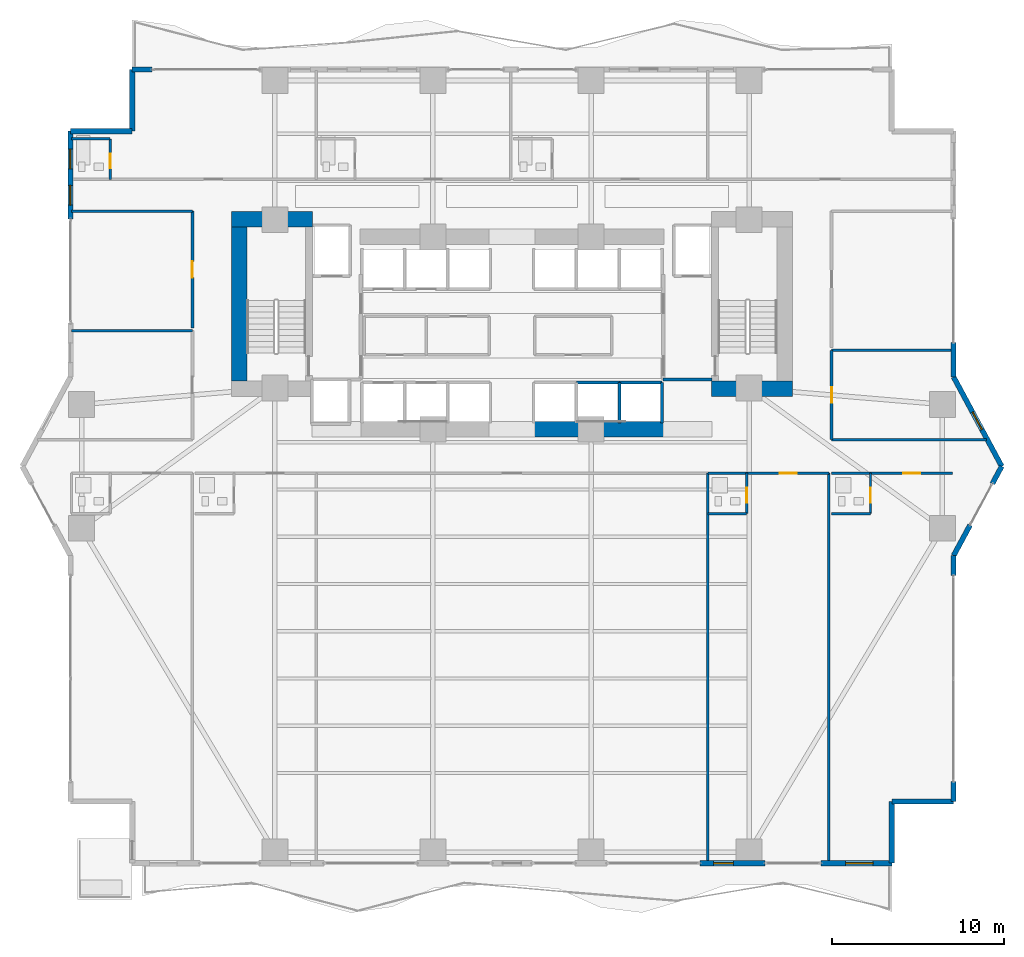
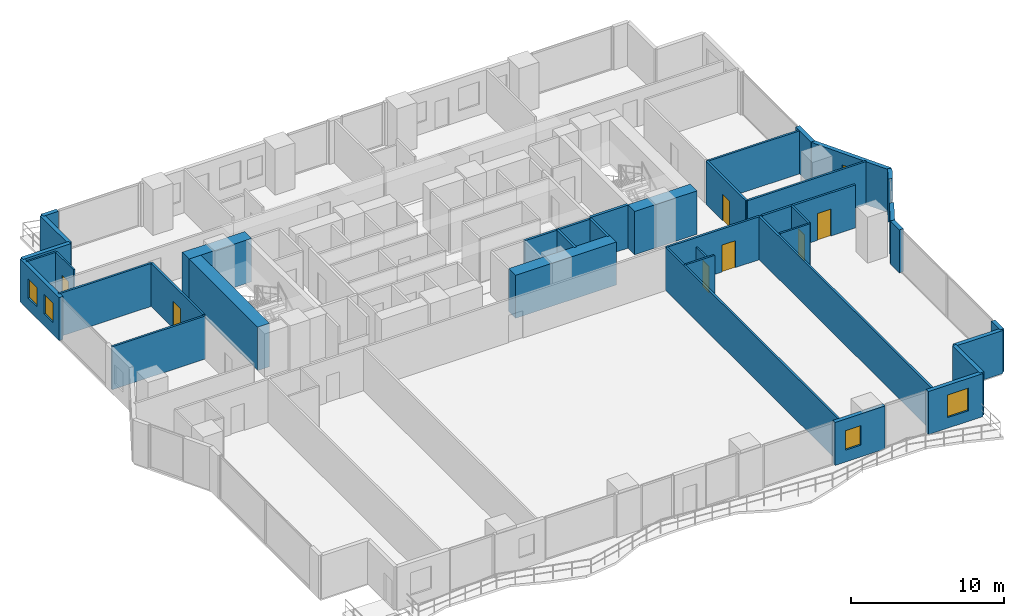
# One storey, part 20 of 28: 39 walls, 7 doors, 5 windows, 12 openings.
"""IFC4 building model written with IfcOpenShell, lengths in metres."""

import ifcopenshell
import ifcopenshell.guid

model = None  # the IFC model being written
_history = None  # IfcOwnerHistory: only IFC2X3 demands one
_inside = {}  # id of a spatial element -> (the spatial element, [elements in it])
_under = {}  # id of a project, library or spatial element -> (it, [spatial elements below it])
_declared = {}  # id of a project -> (the project, [libraries it declares])
_typed = {}  # id of a type object -> (the type object, [elements of that type])
_made_of = {}  # id of a material, layer set ... -> (it, [elements and type objects made of it])


def new_model(schema):
    """Start an empty IFC model of exactly this schema.

    Asked for "IFC4X3", IfcOpenShell would pick the latest addendum, in which some entities
    have other attributes; the version numbers below select the first issue.
    IFC2X3 requires an IfcOwnerHistory on every rooted entity: one is made here for all.
    """
    global model, _history
    if schema == "IFC4X3":
        model = ifcopenshell.file(schema_version=(4, 3, 0, 0))
    else:
        model = ifcopenshell.file(schema=schema)
    _inside.clear()
    _under.clear()
    _declared.clear()
    _typed.clear()
    _made_of.clear()
    _history = None
    if model.schema == "IFC2X3":
        org = make("IfcOrganization", Name="unknown")
        user = make(
            "IfcPersonAndOrganization",
            ThePerson=make("IfcPerson", FamilyName="unknown"),
            TheOrganization=org,
        )
        app = make(
            "IfcApplication",
            ApplicationDeveloper=org,
            Version="unknown",
            ApplicationFullName="unknown",
            ApplicationIdentifier="unknown",
        )
        _history = make(
            "IfcOwnerHistory",
            OwningUser=user,
            OwningApplication=app,
            ChangeAction="ADDED",
            CreationDate=0,
        )
    return model


def make(cls, **values):
    """One entity of the class cls with the attributes given. An attribute that is None is left unset."""
    return model.create_entity(
        cls, **{name: value for name, value in values.items() if value is not None}
    )


def rooted(cls, **values):
    """An entity with a GlobalId (a new one), such as an element, a storey or a relation."""
    return make(cls, GlobalId=ifcopenshell.guid.new(), OwnerHistory=_history, **values)


def si_unit(unit_type, name, prefix=None):
    """IfcSIUnit, for example si_unit("LENGTHUNIT", "METRE", prefix="MILLI")."""
    return make("IfcSIUnit", UnitType=unit_type, Prefix=prefix, Name=name)


def assignment(units):
    """IfcUnitAssignment: the units of a project."""
    return None if units is None else make("IfcUnitAssignment", Units=units)


def point(xyz):
    """IfcCartesianPoint."""
    return None if xyz is None else make("IfcCartesianPoint", Coordinates=xyz)


def direction(xyz):
    """IfcDirection."""
    return None if xyz is None else make("IfcDirection", DirectionRatios=xyz)


def frame(location, z_axis=None, x_axis=None):
    """IfcAxis2Placement3D, a coordinate frame: its origin and axes. An axis left out is left unset."""
    return make(
        "IfcAxis2Placement3D",
        Location=point(location),
        Axis=direction(z_axis),
        RefDirection=direction(x_axis),
    )


def frame_2d(location, x_axis=None):
    """IfcAxis2Placement2D, a coordinate frame in the plane: its origin and x axis."""
    return make(
        "IfcAxis2Placement2D", Location=point(location), RefDirection=direction(x_axis)
    )


def origin():
    """The frame at (0, 0, 0) with its axes left unset."""
    return frame((0.0, 0.0, 0.0))


def place(relative_to, where):
    """IfcLocalPlacement: puts the frame where relative to a parent placement (None: the world)."""
    return make(
        "IfcLocalPlacement", PlacementRelTo=relative_to, RelativePlacement=where
    )


def context(
    kind, dimensions, precision=None, world=None, true_north=None, identifier=None
):
    """IfcGeometricRepresentationContext, for example the 3D "Model" context."""
    return make(
        "IfcGeometricRepresentationContext",
        ContextIdentifier=identifier,
        ContextType=kind,
        CoordinateSpaceDimension=dimensions,
        Precision=precision,
        WorldCoordinateSystem=world,
        TrueNorth=true_north,
    )


def subcontext(parent, identifier, kind, view, scale=None):
    """IfcGeometricRepresentationSubContext, for example "Body" below "Model"."""
    return make(
        "IfcGeometricRepresentationSubContext",
        ContextIdentifier=identifier,
        ContextType=kind,
        ParentContext=parent,
        TargetScale=scale,
        TargetView=view,
    )


def project(units=None, contexts=None):
    """IfcProject with its units and contexts."""
    return rooted(
        "IfcProject",
        Name="project",
        RepresentationContexts=contexts,
        UnitsInContext=assignment(units),
    )


def spatial(cls, under=None, at=None, **own):
    """A site, building, storey or space (cls), placed at a placement, below another one or the project."""
    s = rooted(cls, ObjectPlacement=at, **own)
    if under is not None:
        _under.setdefault(under.id(), (under, []))[1].append(s)
    return s


def profile(cls, at=None, kind="AREA", **sizes):
    """A parametric profile (cls). Its sizes go by their IFC names, for example OverallWidth=200.0."""
    return make(cls, ProfileType=kind, Position=at, **sizes)


def rectangle(**sizes):
    """IfcRectangleProfileDef."""
    return profile("IfcRectangleProfileDef", **sizes)


def extrude(swept, where, along, depth):
    """IfcExtrudedAreaSolid: the profile swept, set in the frame where, extruded along a direction by depth."""
    return make(
        "IfcExtrudedAreaSolid",
        SweptArea=swept,
        Position=where,
        ExtrudedDirection=direction(along),
        Depth=depth,
    )


def shape(context_of_items, identifier, shape_type, items):
    """IfcShapeRepresentation: the items that make up one representation, for example the "Body"."""
    return make(
        "IfcShapeRepresentation",
        ContextOfItems=context_of_items,
        RepresentationIdentifier=identifier,
        RepresentationType=shape_type,
        Items=items,
    )


def material(Name=None, Category=None):
    """IfcMaterial."""
    return make("IfcMaterial", Name=Name, Category=Category)


def layer(
    of_material, thickness, ventilated=None, Name=None, Category=None, Priority=None
):
    """IfcMaterialLayer: one layer of a wall or slab, of a material (None: an air gap)."""
    return make(
        "IfcMaterialLayer",
        Material=of_material,
        LayerThickness=thickness,
        IsVentilated=ventilated,
        Name=Name,
        Category=Category,
        Priority=Priority,
    )


def layer_set(layers, Name=None):
    """IfcMaterialLayerSet."""
    return make("IfcMaterialLayerSet", MaterialLayers=layers, LayerSetName=Name)


def made_of(thing, what):
    """Note that an element or type object is made of a material, layer set ...; save() writes the relation."""
    if what is not None:
        _made_of.setdefault(what.id(), (what, []))[1].append(thing)
    return thing


def type_object(cls, material=None, **own):
    """A type object (cls), such as IfcWallType, which elements share."""
    return made_of(rooted(cls, **own), material)


def element(
    cls,
    number,
    at=None,
    inside=None,
    cuts=None,
    type_object=None,
    material=None,
    context=None,
    identifier="Body",
    shape_type=None,
    held_by="IfcProductDefinitionShape",
    body=None,
    shapes=None,
    **own,
):
    """One element of the class cls, such as IfcWall. Its Tag is "e" and its number.

    at: its placement. inside: the storey or other place that contains it. cuts: it is an
    opening in that element (IfcRelVoidsElement). A single representation is given by context,
    identifier, shape_type and body (its items); several are given by shapes. held_by: the class
    of the entity that holds the representations. save() writes the other relations.
    """
    e = rooted(cls, Tag="e%d" % number, ObjectPlacement=at, **own)
    if body is not None:
        shapes = [shape(context, identifier, shape_type, body)]
    if shapes is not None:
        e.Representation = make(held_by, Representations=shapes)
    if inside is not None:
        _inside.setdefault(inside.id(), (inside, []))[1].append(e)
    if cuts is not None:
        rooted(
            "IfcRelVoidsElement", RelatingBuildingElement=cuts, RelatedOpeningElement=e
        )
    if type_object is not None:
        _typed.setdefault(type_object.id(), (type_object, []))[1].append(e)
    return made_of(e, material)


def fill(opening, filler):
    """IfcRelFillsElement: the door or window that sits in an opening."""
    return rooted(
        "IfcRelFillsElement",
        RelatingOpeningElement=opening,
        RelatedBuildingElement=filler,
    )


def aggregate(whole, parts):
    """IfcRelAggregates: a whole, such as a stair, and the parts it consists of."""
    return rooted("IfcRelAggregates", RelatingObject=whole, RelatedObjects=parts)


def save(model, path):
    """Write the relations noted so far, then the file.

    IfcRelAggregates (storeys below a building ...), IfcRelContainedInSpatialStructure (elements
    in a storey), IfcRelDefinesByType, IfcRelAssociatesMaterial and IfcRelDeclares: one each for
    every whole, place, type object, material and project.
    """
    for whole, parts in _under.values():
        aggregate(whole, parts)
    for where, things in _inside.values():
        rooted(
            "IfcRelContainedInSpatialStructure",
            RelatedElements=things,
            RelatingStructure=where,
        )
    for kind, things in _typed.values():
        rooted("IfcRelDefinesByType", RelatedObjects=things, RelatingType=kind)
    for what, things in _made_of.values():
        rooted("IfcRelAssociatesMaterial", RelatedObjects=things, RelatingMaterial=what)
    for by, libraries in _declared.values():
        rooted("IfcRelDeclares", RelatingContext=by, RelatedDefinitions=libraries)
    model.write(path)


model = new_model("IFC4")

# Units and contexts
model_context = context("Model", 3, precision=1e-05, world=origin(), true_north=direction((0.0, 1.0)))
body_context = subcontext(model_context, "Body", "Model", "MODEL_VIEW")
ifc_project = project(units=[si_unit("LENGTHUNIT", "METRE"), si_unit("AREAUNIT", "SQUARE_METRE"), si_unit("VOLUMEUNIT", "CUBIC_METRE"), si_unit("PLANEANGLEUNIT", "RADIAN"), si_unit("MASSUNIT", "GRAM", prefix="KILO")], contexts=[model_context])

# Site, building, storey
site_placement = place(None, origin())
site = spatial("IfcSite", under=ifc_project, at=site_placement, CompositionType="ELEMENT")
building_placement = place(site_placement, origin())
building = spatial("IfcBuilding", under=site, at=building_placement, Name="Zuhayl Quay Hotel", CompositionType="ELEMENT")
storey_placement = place(building_placement, frame((0.0, 0.0, 78.699951171875)))
storey = spatial("IfcBuildingStorey", under=building, at=storey_placement, Name="L19", CompositionType="ELEMENT", Elevation=78.699951171875)

# Walls
ifc_material_1 = material(Name="Concrete C70/85", Category="concrete")
ifc_layer_1 = layer(ifc_material_1, 0.89990234375, Name="Concrete C70/85", Category="concrete")
ifc_layer_set_1 = layer_set([ifc_layer_1], Name="Concrete C70/85")
wall_type_1 = type_object("IfcWallType", Name="WL_CORE_900", PredefinedType="SHEAR", material=ifc_layer_set_1)
wall_1_placement = place(storey_placement, frame((-16.31005859375, 14.3798828125, 0.0), z_axis=(0.0, 0.0, 1.0), x_axis=(1.0, 0.0, 0.0)))
element("IfcWall", 1, at=wall_1_placement, inside=storey, type_object=wall_type_1, Name="L19 Core Shear Wall CW_NW", PredefinedType="SHEAR", context=body_context, shape_type="SweptSolid", body=[
    extrude(rectangle(XDim=4.7099609375, YDim=0.89990234375, at=frame_2d((2.35498046875, 0.0))), origin(), (0.0, 0.0, 1.0), 3.4599609375),
])
wall_2_placement = place(storey_placement, frame((-15.860107421875, 4.969970703125, 0.0), z_axis=(0.0, 0.0, 1.0), x_axis=(0.0, 1.0, 0.0)))
element("IfcWall", 2, at=wall_2_placement, inside=storey, type_object=wall_type_1, Name="L19 Core Shear Wall CW_W", PredefinedType="SHEAR", context=body_context, shape_type="SweptSolid", body=[
    extrude(rectangle(XDim=8.9599609375, YDim=0.89990234375, at=frame_2d((4.47998046875, 0.0))), origin(), (0.0, 0.0, 1.0), 3.4599609375),
])
wall_3_placement = place(storey_placement, frame((11.60009765625, 4.52001953125, 0.0), z_axis=(0.0, 0.0, 1.0), x_axis=(1.0, 0.0, 0.0)))
element("IfcWall", 3, at=wall_3_placement, inside=storey, type_object=wall_type_1, Name="L19 Core Shear Wall CW_SE", PredefinedType="SHEAR", context=body_context, shape_type="SweptSolid", body=[
    extrude(rectangle(XDim=4.7099609375, YDim=0.89990234375, at=frame_2d((2.35498046875, 0.0))), origin(), (0.0, 0.0, 1.0), 3.4599609375),
])
wall_4_placement = place(storey_placement, frame((1.25, 2.14990234375, 0.0), z_axis=(0.0, 0.0, 1.0), x_axis=(1.0, 0.0, 0.0)))
element("IfcWall", 4, at=wall_4_placement, inside=storey, type_object=wall_type_1, Name="L19 Core Shear Wall CW_SC_E", PredefinedType="SHEAR", context=body_context, shape_type="SweptSolid", body=[
    extrude(rectangle(XDim=7.60009765625, YDim=0.89990234375, at=frame_2d((3.800048828125, 0.0))), origin(), (0.0, 0.0, 1.0), 3.429931640625),
])

# Wall, openings, windows
ifc_material_2 = material(Name="Precast concrete C45/55", Category="concrete")
ifc_layer_2 = layer(ifc_material_2, 0.300048828125, Name="Precast concrete C45/55", Category="concrete")
ifc_layer_set_2 = layer_set([ifc_layer_2], Name="Precast concrete C45/55")
wall_type_2 = type_object("IfcWallType", Name="WL_EXT_300", PredefinedType="STANDARD", material=ifc_layer_set_2)
wall_5_placement = place(storey_placement, frame((-25.699951171875, 14.39990234375, 0.0), z_axis=(0.0, 0.0, 1.0), x_axis=(0.0, 1.0, 0.0)))
wall_5 = element("IfcWall", 5, at=wall_5_placement, inside=storey, type_object=wall_type_2, Name="L19 Exterior Precast Wall ENV_L19_E05_EW2", PredefinedType="STANDARD", context=body_context, shape_type="SweptSolid", body=[
    extrude(rectangle(XDim=5.10009765625, YDim=0.300048828125, at=frame_2d((2.550048828125, 0.0))), origin(), (0.0, 0.0, 1.0), 3.429931640625),
])
opening_1_placement = place(wall_5_placement, frame((0.800048828125, 0.0, 0.949951171875)))
opening_1 = element("IfcOpeningElement", 6, at=opening_1_placement, cuts=wall_5, Name="Opening W01N", PredefinedType="OPENING", context=body_context, shape_type="SweptSolid", body=[
    extrude(rectangle(XDim=1.14990234375, YDim=1.550048828125, at=frame_2d((0.574951171875, 0.77490234375))), frame((0.0, 0.159912109375, 0.0), z_axis=(0.0, -1.0, 0.0), x_axis=(1.0, 0.0, 0.0)), (0.0, 0.0, 1.0), 0.320068359375),
])
opening_2_placement = place(wall_5_placement, frame((2.905029296875, 0.0, 0.949951171875)))
opening_2 = element("IfcOpeningElement", 7, at=opening_2_placement, cuts=wall_5, Name="Opening W01N", PredefinedType="OPENING", context=body_context, shape_type="SweptSolid", body=[
    extrude(rectangle(XDim=1.14990234375, YDim=1.550048828125, at=frame_2d((0.574951171875, 0.77490234375))), frame((0.0, 0.159912109375, 0.0), z_axis=(0.0, -1.0, 0.0), x_axis=(1.0, 0.0, 0.0)), (0.0, 0.0, 1.0), 0.320068359375),
])
ifc_material_3 = material(Name="Dark Ceramic-Fritted Solar Glass", Category="glass")
window_type_1 = type_object("IfcWindowType", Name="WN_NOTCH_1350", PartitioningType="SINGLE_PANEL", PredefinedType="WINDOW", material=ifc_material_3)
window_1_placement = place(opening_1_placement, origin())
window_1 = element("IfcWindow", 8, at=window_1_placement, inside=storey, type_object=window_type_1, Name="L19 Operable Facade Window 2-1", OverallHeight=1.550048828125, OverallWidth=1.14990234375, PartitioningType="SINGLE_PANEL", PredefinedType="WINDOW", context=body_context, shape_type="SweptSolid", body=[
    extrude(rectangle(XDim=1.14990234375, YDim=1.550048828125, at=frame_2d((0.574951171875, 0.77490234375))), frame((0.0, 0.030029296875, 0.0), z_axis=(0.0, -1.0, 0.0), x_axis=(1.0, 0.0, 0.0)), (0.0, 0.0, 1.0), 0.06005859375),
])
fill(opening_1, window_1)
window_2_placement = place(opening_2_placement, origin())
window_2 = element("IfcWindow", 9, at=window_2_placement, inside=storey, type_object=window_type_1, Name="L19 Operable Facade Window 2-2", OverallHeight=1.550048828125, OverallWidth=1.14990234375, PartitioningType="SINGLE_PANEL", PredefinedType="WINDOW", context=body_context, shape_type="SweptSolid", body=[
    extrude(rectangle(XDim=1.14990234375, YDim=1.550048828125, at=frame_2d((0.574951171875, 0.77490234375))), frame((0.0, 0.030029296875, 0.0), z_axis=(0.0, -1.0, 0.0), x_axis=(1.0, 0.0, 0.0)), (0.0, 0.0, 1.0), 0.06005859375),
])
fill(opening_2, window_2)

# Walls
wall_6_placement = place(storey_placement, frame((-25.699951171875, 19.5, 0.0), z_axis=(0.0, 0.0, 1.0), x_axis=(1.0, 0.0, 0.0)))
element("IfcWall", 10, at=wall_6_placement, inside=storey, type_object=wall_type_2, Name="L19 Exterior Precast Wall ENV_L19_EW06", PredefinedType="STANDARD", context=body_context, shape_type="SweptSolid", body=[
    extrude(rectangle(XDim=3.599853515625, YDim=0.300048828125, at=frame_2d((1.7998046875, 0.0))), origin(), (0.0, 0.0, 1.0), 3.429931640625),
])
wall_7_placement = place(storey_placement, frame((-22.10009765625, 19.5, 0.0), z_axis=(0.0, 0.0, 1.0), x_axis=(0.0, 1.0, 0.0)))
element("IfcWall", 11, at=wall_7_placement, inside=storey, type_object=wall_type_2, Name="L19 Exterior Precast Wall ENV_L19_EW07", PredefinedType="STANDARD", context=body_context, shape_type="SweptSolid", body=[
    extrude(rectangle(XDim=3.60009765625, YDim=0.300048828125, at=frame_2d((1.800048828125, 0.0))), origin(), (0.0, 0.0, 1.0), 3.429931640625),
])
wall_8_placement = place(storey_placement, frame((-22.10009765625, 23.10009765625, 0.0), z_axis=(0.0, 0.0, 1.0), x_axis=(1.0, 0.0, 0.0)))
element("IfcWall", 12, at=wall_8_placement, inside=storey, type_object=wall_type_2, Name="L19 Exterior Precast Wall ENV_L19_N_EW1", PredefinedType="STANDARD", context=body_context, shape_type="SweptSolid", body=[
    extrude(rectangle(XDim=1.150146484375, YDim=0.300048828125, at=frame_2d((0.5751953125, 0.0))), origin(), (0.0, 0.0, 1.0), 3.429931640625),
])
wall_9_placement = place(storey_placement, frame((25.699951171875, 7.199951171875, 0.0), z_axis=(0.0, 0.0, 1.0), x_axis=(0.0, -1.0, 0.0)))
element("IfcWall", 13, at=wall_9_placement, inside=storey, type_object=wall_type_2, Name="L19 Exterior Precast Wall ENV_L19_E11_EW2", PredefinedType="STANDARD", context=body_context, shape_type="SweptSolid", body=[
    extrude(rectangle(XDim=2.0, YDim=0.300048828125, at=frame_2d((1.0, 0.0))), origin(), (0.0, 0.0, 1.0), 3.429931640625),
])

# Wall, opening, window
wall_10_placement = place(storey_placement, frame((25.699951171875, 5.199951171875, 0.0), z_axis=(0.0, 0.0, 1.0), x_axis=(0.474109683532, -0.880465790352, 0.0)))
wall_10 = element("IfcWall", 14, at=wall_10_placement, inside=storey, type_object=wall_type_2, Name="L19 Exterior Precast Wall ENV_L19_E12_EW1", PredefinedType="STANDARD", context=body_context, shape_type="SweptSolid", body=[
    extrude(rectangle(XDim=5.906005859375, YDim=0.300048828125, at=frame_2d((2.953125, 0.0))), origin(), (0.0, 0.0, 1.0), 3.429931640625),
])
opening_3_placement = place(wall_10_placement, frame((2.32373046875, 0.0, 0.949951171875)))
opening_3 = element("IfcOpeningElement", 15, at=opening_3_placement, cuts=wall_10, Name="Opening W01N", PredefinedType="OPENING", context=body_context, shape_type="SweptSolid", body=[
    extrude(rectangle(XDim=1.14990234375, YDim=1.550048828125, at=frame_2d((0.574951171875, 0.77490234375))), frame((0.0, 0.159912109375, 0.0), z_axis=(0.0, -1.0, 0.0), x_axis=(1.0, 0.0, 0.0)), (0.0, 0.0, 1.0), 0.320068359375),
])
window_3_placement = place(opening_3_placement, origin())
window_3 = element("IfcWindow", 16, at=window_3_placement, inside=storey, type_object=window_type_1, Name="L19 Operable Facade Window 1-1", OverallHeight=1.550048828125, OverallWidth=1.14990234375, PartitioningType="SINGLE_PANEL", PredefinedType="WINDOW", context=body_context, shape_type="SweptSolid", body=[
    extrude(rectangle(XDim=1.14990234375, YDim=1.550048828125, at=frame_2d((0.574951171875, 0.77490234375))), frame((0.0, 0.030029296875, 0.0), z_axis=(0.0, -1.0, 0.0), x_axis=(1.0, 0.0, 0.0)), (0.0, 0.0, 1.0), 0.06005859375),
])
fill(opening_3, window_3)

# Walls
wall_11_placement = place(storey_placement, frame((28.5, 0.0, 0.0), z_axis=(0.0, 0.0, 1.0), x_axis=(-0.474099823035, -0.880471099922, 0.0)))
element("IfcWall", 17, at=wall_11_placement, inside=storey, type_object=wall_type_2, Name="L19 Exterior Precast Wall ENV_L19_E13_EW1", PredefinedType="STANDARD", context=body_context, shape_type="SweptSolid", body=[
    extrude(rectangle(XDim=1.14990234375, YDim=0.300048828125, at=frame_2d((0.574951171875, 0.0))), origin(), (0.0, 0.0, 1.0), 3.429931640625),
])
wall_12_placement = place(storey_placement, frame((26.657958984375, -3.4208984375, 0.0), z_axis=(0.0, 0.0, 1.0), x_axis=(-0.474121438562, -0.88045946045, 0.0)))
element("IfcWall", 18, at=wall_12_placement, inside=storey, type_object=wall_type_2, Name="L19 Exterior Precast Wall ENV_L19_E13_EW2", PredefinedType="STANDARD", context=body_context, shape_type="SweptSolid", body=[
    extrude(rectangle(XDim=2.0205078125, YDim=0.300048828125, at=frame_2d((1.01025390625, 0.0))), origin(), (0.0, 0.0, 1.0), 3.429931640625),
])
wall_13_placement = place(storey_placement, frame((25.699951171875, -5.199951171875, 0.0), z_axis=(0.0, 0.0, 1.0), x_axis=(0.0, -1.0, 0.0)))
element("IfcWall", 19, at=wall_13_placement, inside=storey, type_object=wall_type_2, Name="L19 Exterior Precast Wall ENV_L19_E14_EW1", PredefinedType="STANDARD", context=body_context, shape_type="SweptSolid", body=[
    extrude(rectangle(XDim=1.150146484375, YDim=0.300048828125, at=frame_2d((0.5751953125, 0.0))), origin(), (0.0, 0.0, 1.0), 3.429931640625),
])
wall_14_placement = place(storey_placement, frame((25.699951171875, -18.35009765625, 0.0), z_axis=(0.0, 0.0, 1.0), x_axis=(0.0, -1.0, 0.0)))
element("IfcWall", 20, at=wall_14_placement, inside=storey, type_object=wall_type_2, Name="L19 Exterior Precast Wall ENV_L19_E14_EW2", PredefinedType="STANDARD", context=body_context, shape_type="SweptSolid", body=[
    extrude(rectangle(XDim=1.14990234375, YDim=0.300048828125, at=frame_2d((0.574951171875, 0.0))), origin(), (0.0, 0.0, 1.0), 3.429931640625),
])
wall_15_placement = place(storey_placement, frame((25.699951171875, -19.5, 0.0), z_axis=(0.0, 0.0, 1.0), x_axis=(-1.0, 0.0, 0.0)))
element("IfcWall", 21, at=wall_15_placement, inside=storey, type_object=wall_type_2, Name="L19 Exterior Precast Wall ENV_L19_EW15", PredefinedType="STANDARD", context=body_context, shape_type="SweptSolid", body=[
    extrude(rectangle(XDim=3.599853515625, YDim=0.300048828125, at=frame_2d((1.7998046875, 0.0))), origin(), (0.0, 0.0, 1.0), 3.429931640625),
])
wall_16_placement = place(storey_placement, frame((22.10009765625, -19.5, 0.0), z_axis=(0.0, 0.0, 1.0), x_axis=(0.0, -1.0, 0.0)))
element("IfcWall", 22, at=wall_16_placement, inside=storey, type_object=wall_type_2, Name="L19 Exterior Precast Wall ENV_L19_EW16", PredefinedType="STANDARD", context=body_context, shape_type="SweptSolid", body=[
    extrude(rectangle(XDim=3.60009765625, YDim=0.300048828125, at=frame_2d((1.800048828125, 0.0))), origin(), (0.0, 0.0, 1.0), 3.429931640625),
])

# Wall, opening, window
wall_17_placement = place(storey_placement, frame((22.10009765625, -23.10009765625, 0.0), z_axis=(0.0, 0.0, 1.0), x_axis=(-1.0, 0.0, 0.0)))
wall_17 = element("IfcWall", 23, at=wall_17_placement, inside=storey, type_object=wall_type_2, Name="L19 Exterior Precast Wall ENV_L19_S_EW1", PredefinedType="STANDARD", context=body_context, shape_type="SweptSolid", body=[
    extrude(rectangle(XDim=4.110107421875, YDim=0.300048828125, at=frame_2d((2.05517578125, 0.0))), origin(), (0.0, 0.0, 1.0), 3.429931640625),
])
opening_4_placement = place(wall_17_placement, frame((1.090087890625, 0.0, 0.85009765625)))
opening_4 = element("IfcOpeningElement", 24, at=opening_4_placement, cuts=wall_17, Name="Opening W01", PredefinedType="OPENING", context=body_context, shape_type="SweptSolid", body=[
    extrude(rectangle(XDim=1.60009765625, YDim=1.800048828125, at=frame_2d((0.800048828125, 0.89990234375))), frame((0.0, 0.159912109375, 0.0), z_axis=(0.0, -1.0, 0.0), x_axis=(1.0, 0.0, 0.0)), (0.0, 0.0, 1.0), 0.320068359375),
])
window_type_2 = type_object("IfcWindowType", Name="WN_OPERABLE_1600", PartitioningType="DOUBLE_PANEL_VERTICAL", PredefinedType="WINDOW", material=ifc_material_3)
window_4_placement = place(opening_4_placement, origin())
window_4 = element("IfcWindow", 25, at=window_4_placement, inside=storey, type_object=window_type_2, Name="L19 Operable Facade Window 1-1", OverallHeight=1.800048828125, OverallWidth=1.60009765625, PartitioningType="SINGLE_PANEL", PredefinedType="WINDOW", context=body_context, shape_type="SweptSolid", body=[
    extrude(rectangle(XDim=1.60009765625, YDim=1.800048828125, at=frame_2d((0.800048828125, 0.89990234375))), frame((0.0, 0.030029296875, 0.0), z_axis=(0.0, -1.0, 0.0), x_axis=(1.0, 0.0, 0.0)), (0.0, 0.0, 1.0), 0.06005859375),
])
fill(opening_4, window_4)

wall_18_placement = place(storey_placement, frame((14.719970703125, -23.10009765625, 0.0), z_axis=(0.0, 0.0, 1.0), x_axis=(-1.0, 0.0, 0.0)))
wall_18 = element("IfcWall", 26, at=wall_18_placement, inside=storey, type_object=wall_type_2, Name="L19 Exterior Precast Wall ENV_L19_S_EW2", PredefinedType="STANDARD", context=body_context, shape_type="SweptSolid", body=[
    extrude(rectangle(XDim=3.77001953125, YDim=0.300048828125, at=frame_2d((1.885009765625, 0.0))), origin(), (0.0, 0.0, 1.0), 3.429931640625),
])
opening_5_placement = place(wall_18_placement, frame((1.8349609375, 0.0, 0.949951171875)))
opening_5 = element("IfcOpeningElement", 27, at=opening_5_placement, cuts=wall_18, Name="Opening W01N", PredefinedType="OPENING", context=body_context, shape_type="SweptSolid", body=[
    extrude(rectangle(XDim=1.14990234375, YDim=1.550048828125, at=frame_2d((0.574951171875, 0.77490234375))), frame((0.0, 0.159912109375, 0.0), z_axis=(0.0, -1.0, 0.0), x_axis=(1.0, 0.0, 0.0)), (0.0, 0.0, 1.0), 0.320068359375),
])
window_5_placement = place(opening_5_placement, origin())
window_5 = element("IfcWindow", 28, at=window_5_placement, inside=storey, type_object=window_type_1, Name="L19 Operable Facade Window 2-1", OverallHeight=1.550048828125, OverallWidth=1.14990234375, PartitioningType="SINGLE_PANEL", PredefinedType="WINDOW", context=body_context, shape_type="SweptSolid", body=[
    extrude(rectangle(XDim=1.14990234375, YDim=1.550048828125, at=frame_2d((0.574951171875, 0.77490234375))), frame((0.0, 0.030029296875, 0.0), z_axis=(0.0, -1.0, 0.0), x_axis=(1.0, 0.0, 0.0)), (0.0, 0.0, 1.0), 0.06005859375),
])
fill(opening_5, window_5)

# Walls
ifc_material_4 = material(Name="Acoustic Gypsum Partition STC-58")
ifc_layer_3 = layer(ifc_material_4, 0.14990234375, Name="Acoustic Gypsum Partition STC-58")
ifc_layer_set_3 = layer_set([ifc_layer_3], Name="Acoustic Gypsum Partition STC-58")
wall_type_3 = type_object("IfcWallType", Name="WL_PART_150", PredefinedType="PARTITIONING", material=ifc_layer_set_3)
wall_19_placement = place(storey_placement, frame((11.39990234375, -23.0400390625, 0.0), z_axis=(0.0, 0.0, 1.0), x_axis=(0.0, 1.0, 0.0)))
element("IfcWall", 29, at=wall_19_placement, inside=storey, type_object=wall_type_3, Name="L19 Partition IW_L19_SSAL_1_E", PredefinedType="PARTITIONING", context=body_context, shape_type="SweptSolid", body=[
    extrude(rectangle(XDim=22.64013671875, YDim=0.14990234375, at=frame_2d((11.320068359375, 0.0))), origin(), (0.0, 0.0, 1.0), 3.429931640625),
])
wall_20_placement = place(storey_placement, frame((18.43994140625, -23.02001953125, 0.0), z_axis=(0.0, 0.0, 1.0), x_axis=(0.0, 1.0, 0.0)))
element("IfcWall", 30, at=wall_20_placement, inside=storey, type_object=wall_type_3, Name="L19 Partition IW_L19_SU03A_E", PredefinedType="PARTITIONING", context=body_context, shape_type="SweptSolid", body=[
    extrude(rectangle(XDim=22.6201171875, YDim=0.14990234375, at=frame_2d((11.31005859375, 0.0))), origin(), (0.0, 0.0, 1.0), 3.429931640625),
])
wall_21_placement = place(storey_placement, frame((18.60009765625, 1.550048828125, 0.0), z_axis=(0.0, 0.0, 1.0), x_axis=(1.0, 0.0, 0.0)))
element("IfcWall", 31, at=wall_21_placement, inside=storey, type_object=wall_type_3, Name="L19 Partition IW_L19_HK_MAIN_S", PredefinedType="PARTITIONING", context=body_context, shape_type="SweptSolid", body=[
    extrude(rectangle(XDim=9.00537109375, YDim=0.14990234375, at=frame_2d((4.502685546875, 0.0))), origin(), (0.0, 0.0, 1.0), 3.429931640625),
])
for number, where, z_axis, x_axis, name in (
    (32, (18.60009765625, 6.75, 0.0), (0.0, 0.0, 1.0), (1.0, 0.0, 0.0), "L19 Partition IW_L19_HK_MAIN_N"),
    (33, (-25.639892578125, 7.89990234375, 0.0), (0.0, 0.0, 1.0), (1.0, 0.0, 0.0), "L19 Partition IW_L19_WPROW_1_N"),
    (34, (-25.639892578125, 14.85009765625, 0.0), (0.0, 0.0, 1.0), (1.0, 0.0, 0.0), "L19 Partition IW_L19_WPROW_2_N"),
):
    element("IfcWall", number, at=place(storey_placement, frame(where, z_axis=z_axis, x_axis=x_axis)), inside=storey, type_object=wall_type_3, Name=name, PredefinedType="PARTITIONING", context=body_context, shape_type="SweptSolid", body=[
        extrude(rectangle(XDim=7.039794921875, YDim=0.14990234375, at=frame_2d((3.52001953125, 0.0))), origin(), (0.0, 0.0, 1.0), 3.429931640625),
    ])

# Wall, opening, door
ifc_layer_4 = layer(ifc_material_4, 0.159912109375, Name="Acoustic Gypsum Partition STC-58")
ifc_layer_set_4 = layer_set([ifc_layer_4], Name="Acoustic Gypsum Partition STC-58")
wall_type_4 = type_object("IfcWallType", Name="WL_PART_CORR_160", PredefinedType="PARTITIONING", material=ifc_layer_set_4)
wall_22_placement = place(storey_placement, frame((11.39990234375, -0.39990234375, 0.0), z_axis=(0.0, 0.0, 1.0), x_axis=(1.0, 0.0, 0.0)))
wall_22 = element("IfcWall", 35, at=wall_22_placement, inside=storey, type_object=wall_type_4, Name="L19 Partition IW_L19_SU03A_COR", PredefinedType="PARTITIONING", context=body_context, shape_type="SweptSolid", body=[
    extrude(rectangle(XDim=7.0400390625, YDim=0.159912109375, at=frame_2d((3.52001953125, 0.0))), origin(), (0.0, 0.0, 1.0), 3.429931640625),
])
opening_6_placement = place(wall_22_placement, frame((4.169921875, 0.0, 0.0)))
opening_6 = element("IfcOpeningElement", 36, at=opening_6_placement, cuts=wall_22, Name="Opening D03L", PredefinedType="OPENING", context=body_context, shape_type="SweptSolid", body=[
    extrude(rectangle(XDim=1.0, YDim=2.14990234375, at=frame_2d((0.5, 1.074951171875))), frame((0.0, 0.08984375, 0.0), z_axis=(0.0, -1.0, 0.0), x_axis=(1.0, 0.0, 0.0)), (0.0, 0.0, 1.0), 0.179931640625),
])
ifc_material_5 = material(Name="Solid Walnut Acoustic Fire Door")
door_type_1 = type_object("IfcDoorType", Name="DR_SUITE_1000", OperationType="NOTDEFINED", PredefinedType="DOOR", material=ifc_material_5)
door_1_placement = place(opening_6_placement, origin())
door_1 = element("IfcDoor", 37, at=door_1_placement, inside=storey, type_object=door_type_1, Name="L19 City-View Junior Suite L19-03A Entrance Door", OperationType="SINGLE_SWING_RIGHT", OverallHeight=2.14990234375, OverallWidth=1.0, PredefinedType="DOOR", context=body_context, shape_type="SweptSolid", body=[
    extrude(rectangle(XDim=1.0, YDim=2.14990234375, at=frame_2d((0.5, 1.074951171875))), frame((0.0, 0.02490234375, 0.0), z_axis=(0.0, -1.0, 0.0), x_axis=(1.0, 0.0, 0.0)), (0.0, 0.0, 1.0), 0.050048828125),
])
fill(opening_6, door_1)

wall_23_placement = place(storey_placement, frame((18.60009765625, -0.39990234375, 0.0), z_axis=(0.0, 0.0, 1.0), x_axis=(1.0, 0.0, 0.0)))
wall_23 = element("IfcWall", 38, at=wall_23_placement, inside=storey, type_object=wall_type_4, Name="L19 Partition IW_L19_SU03B_COR", PredefinedType="PARTITIONING", context=body_context, shape_type="SweptSolid", body=[
    extrude(rectangle(XDim=7.039794921875, YDim=0.159912109375, at=frame_2d((3.52001953125, 0.0))), origin(), (0.0, 0.0, 1.0), 3.429931640625),
])
opening_7_placement = place(wall_23_placement, frame((4.169921875, 0.0, 0.0)))
opening_7 = element("IfcOpeningElement", 39, at=opening_7_placement, cuts=wall_23, Name="Opening D03L", PredefinedType="OPENING", context=body_context, shape_type="SweptSolid", body=[
    extrude(rectangle(XDim=1.0, YDim=2.14990234375, at=frame_2d((0.5, 1.074951171875))), frame((0.0, 0.08984375, 0.0), z_axis=(0.0, -1.0, 0.0), x_axis=(1.0, 0.0, 0.0)), (0.0, 0.0, 1.0), 0.179931640625),
])
door_2_placement = place(opening_7_placement, origin())
door_2 = element("IfcDoor", 40, at=door_2_placement, inside=storey, type_object=door_type_1, Name="L19 City-View Junior Suite L19-03B Entrance Door", OperationType="SINGLE_SWING_RIGHT", OverallHeight=2.14990234375, OverallWidth=1.0, PredefinedType="DOOR", context=body_context, shape_type="SweptSolid", body=[
    extrude(rectangle(XDim=1.0, YDim=2.14990234375, at=frame_2d((0.5, 1.074951171875))), frame((0.0, 0.02490234375, 0.0), z_axis=(0.0, -1.0, 0.0), x_axis=(1.0, 0.0, 0.0)), (0.0, 0.0, 1.0), 0.050048828125),
])
fill(opening_7, door_2)

wall_24_placement = place(storey_placement, frame((18.60009765625, 1.550048828125, 0.0), z_axis=(0.0, 0.0, 1.0), x_axis=(0.0, 1.0, 0.0)))
wall_24 = element("IfcWall", 41, at=wall_24_placement, inside=storey, type_object=wall_type_4, Name="L19 Partition IW_L19_HK_MAIN_W", PredefinedType="PARTITIONING", context=body_context, shape_type="SweptSolid", body=[
    extrude(rectangle(XDim=5.199951171875, YDim=0.159912109375, at=frame_2d((2.60009765625, 0.0))), origin(), (0.0, 0.0, 1.0), 3.429931640625),
])
opening_8_placement = place(wall_24_placement, frame((2.139892578125, 0.0, 0.0)))
opening_8 = element("IfcOpeningElement", 42, at=opening_8_placement, cuts=wall_24, Name="Opening D05", PredefinedType="OPENING", context=body_context, shape_type="SweptSolid", body=[
    extrude(rectangle(XDim=0.919921875, YDim=2.1201171875, at=frame_2d((0.4599609375, 1.06005859375))), frame((0.0, 0.08984375, 0.0), z_axis=(0.0, -1.0, 0.0), x_axis=(1.0, 0.0, 0.0)), (0.0, 0.0, 1.0), 0.179931640625),
])
door_type_2 = type_object("IfcDoorType", Name="DR_INT_950", OperationType="NOTDEFINED", PredefinedType="DOOR", material=ifc_material_5)
door_3_placement = place(opening_8_placement, origin())
door_3 = element("IfcDoor", 43, at=door_3_placement, inside=storey, type_object=door_type_2, Name="L19 Housekeeping and Linen Room Door", OperationType="SINGLE_SWING_LEFT", OverallHeight=2.1201171875, OverallWidth=0.919921875, PredefinedType="DOOR", context=body_context, shape_type="SweptSolid", body=[
    extrude(rectangle(XDim=0.919921875, YDim=2.1201171875, at=frame_2d((0.4599609375, 1.06005859375))), frame((0.0, 0.02490234375, 0.0), z_axis=(0.0, -1.0, 0.0), x_axis=(1.0, 0.0, 0.0)), (0.0, 0.0, 1.0), 0.050048828125),
])
fill(opening_8, door_3)

wall_25_placement = place(storey_placement, frame((-18.60009765625, 8.06005859375, 0.0), z_axis=(0.0, 0.0, 1.0), x_axis=(0.0, 1.0, 0.0)))
wall_25 = element("IfcWall", 44, at=wall_25_placement, inside=storey, type_object=wall_type_4, Name="L19 Partition IW_L19_WPROW_2_E", PredefinedType="PARTITIONING", context=body_context, shape_type="SweptSolid", body=[
    extrude(rectangle(XDim=6.7900390625, YDim=0.159912109375, at=frame_2d((3.39501953125, 0.0))), origin(), (0.0, 0.0, 1.0), 3.429931640625),
])
opening_9_placement = place(wall_25_placement, frame((2.919921875, 0.0, 0.0)))
opening_9 = element("IfcOpeningElement", 45, at=opening_9_placement, cuts=wall_25, Name="Opening D03", PredefinedType="OPENING", context=body_context, shape_type="SweptSolid", body=[
    extrude(rectangle(XDim=0.949951171875, YDim=2.14990234375, at=frame_2d((0.47509765625, 1.074951171875))), frame((0.0, 0.08984375, 0.0), z_axis=(0.0, -1.0, 0.0), x_axis=(1.0, 0.0, 0.0)), (0.0, 0.0, 1.0), 0.179931640625),
])
door_type_3 = type_object("IfcDoorType", Name="DR_SUITE_950", OperationType="NOTDEFINED", PredefinedType="DOOR", material=ifc_material_5)
door_4_placement = place(opening_9_placement, origin())
door_4 = element("IfcDoor", 46, at=door_4_placement, inside=storey, type_object=door_type_3, Name="L19 Sunset Lounge L19 Door", OperationType="SINGLE_SWING_RIGHT", OverallHeight=2.14990234375, OverallWidth=0.949951171875, PredefinedType="DOOR", context=body_context, shape_type="SweptSolid", body=[
    extrude(rectangle(XDim=0.949951171875, YDim=2.14990234375, at=frame_2d((0.47509765625, 1.074951171875))), frame((0.0, 0.02490234375, 0.0), z_axis=(0.0, -1.0, 0.0), x_axis=(1.0, 0.0, 0.0)), (0.0, 0.0, 1.0), 0.050048828125),
])
fill(opening_9, door_4)

ifc_material_6 = material(Name="Moisture-Resistant Sanitarychase Gypsum")
ifc_layer_5 = layer(ifc_material_6, 0.135009765625, Name="Moisture-Resistant Sanitarychase Gypsum")
ifc_layer_set_5 = layer_set([ifc_layer_5], Name="Moisture-Resistant Sanitarychase Gypsum")
wall_type_5 = type_object("IfcWallType", Name="WL_PART_PLUMB_150", PredefinedType="PLUMBINGWALL", material=ifc_layer_set_5)
wall_26_placement = place(storey_placement, frame((-23.3798828125, 16.699951171875, 0.0), z_axis=(0.0, 0.0, 1.0), x_axis=(0.0, 1.0, 0.0)))
wall_26 = element("IfcWall", 47, at=wall_26_placement, inside=storey, type_object=wall_type_5, Name="L19 Partition IW_L19_NU01_BE", PredefinedType="PLUMBINGWALL", context=body_context, shape_type="SweptSolid", body=[
    extrude(rectangle(XDim=2.360107421875, YDim=0.135009765625, at=frame_2d((1.18017578125, 0.0))), origin(), (0.0, 0.0, 1.0), 3.429931640625),
])
opening_10_placement = place(wall_26_placement, frame((0.64990234375, 0.0, 0.0)))
opening_10 = element("IfcOpeningElement", 48, at=opening_10_placement, cuts=wall_26, Name="Opening D04", PredefinedType="OPENING", context=body_context, shape_type="SweptSolid", body=[
    extrude(rectangle(XDim=0.85009765625, YDim=2.10009765625, at=frame_2d((0.425048828125, 1.050048828125))), frame((0.0, 0.077392578125, 0.0), z_axis=(0.0, -1.0, 0.0), x_axis=(1.0, 0.0, 0.0)), (0.0, 0.0, 1.0), 0.155029296875),
])
ifc_material_7 = material(Name="Moisture-Resistant Walnut Veneer")
door_type_4 = type_object("IfcDoorType", Name="DR_BATH_850", OperationType="NOTDEFINED", PredefinedType="DOOR", material=ifc_material_7)
door_5_placement = place(opening_10_placement, origin())
door_5 = element("IfcDoor", 49, at=door_5_placement, inside=storey, type_object=door_type_4, Name="L19 Deluxe Gulf Guest Room L19-01 En-Suite Door", OperationType="SINGLE_SWING_LEFT", OverallHeight=2.10009765625, OverallWidth=0.85009765625, PredefinedType="DOOR", context=body_context, shape_type="SweptSolid", body=[
    extrude(rectangle(XDim=0.85009765625, YDim=2.10009765625, at=frame_2d((0.425048828125, 1.050048828125))), frame((0.0, 0.02490234375, 0.0), z_axis=(0.0, -1.0, 0.0), x_axis=(1.0, 0.0, 0.0)), (0.0, 0.0, 1.0), 0.050048828125),
])
fill(opening_10, door_5)

wall_27_placement = place(storey_placement, frame((13.659912109375, -2.760009765625, 0.0), z_axis=(0.0, 0.0, 1.0), x_axis=(0.0, 1.0, 0.0)))
wall_27 = element("IfcWall", 50, at=wall_27_placement, inside=storey, type_object=wall_type_5, Name="L19 Partition IW_L19_SU03A_BE", PredefinedType="PLUMBINGWALL", context=body_context, shape_type="SweptSolid", body=[
    extrude(rectangle(XDim=2.360107421875, YDim=0.135009765625, at=frame_2d((1.18017578125, 0.0))), origin(), (0.0, 0.0, 1.0), 2.66796875),
])
opening_11_placement = place(wall_27_placement, frame((0.64990234375, 0.0, 0.0)))
opening_11 = element("IfcOpeningElement", 51, at=opening_11_placement, cuts=wall_27, Name="Opening D04", PredefinedType="OPENING", context=body_context, shape_type="SweptSolid", body=[
    extrude(rectangle(XDim=0.85009765625, YDim=2.10009765625, at=frame_2d((0.425048828125, 1.050048828125))), frame((0.0, 0.077392578125, 0.0), z_axis=(0.0, -1.0, 0.0), x_axis=(1.0, 0.0, 0.0)), (0.0, 0.0, 1.0), 0.155029296875),
])
door_6_placement = place(opening_11_placement, origin())
door_6 = element("IfcDoor", 52, at=door_6_placement, inside=storey, type_object=door_type_4, Name="L19 City-View Junior Suite L19-03A En-Suite Door", OperationType="SINGLE_SWING_LEFT", OverallHeight=2.10009765625, OverallWidth=0.85009765625, PredefinedType="DOOR", context=body_context, shape_type="SweptSolid", body=[
    extrude(rectangle(XDim=0.85009765625, YDim=2.10009765625, at=frame_2d((0.425048828125, 1.050048828125))), frame((0.0, 0.02490234375, 0.0), z_axis=(0.0, -1.0, 0.0), x_axis=(1.0, 0.0, 0.0)), (0.0, 0.0, 1.0), 0.050048828125),
])
fill(opening_11, door_6)

wall_28_placement = place(storey_placement, frame((20.860107421875, -2.760009765625, 0.0), z_axis=(0.0, 0.0, 1.0), x_axis=(0.0, 1.0, 0.0)))
wall_28 = element("IfcWall", 53, at=wall_28_placement, inside=storey, type_object=wall_type_5, Name="L19 Partition IW_L19_SU03B_BE", PredefinedType="PLUMBINGWALL", context=body_context, shape_type="SweptSolid", body=[
    extrude(rectangle(XDim=2.360107421875, YDim=0.135009765625, at=frame_2d((1.18017578125, 0.0))), origin(), (0.0, 0.0, 1.0), 3.429931640625),
])
opening_12_placement = place(wall_28_placement, frame((0.64990234375, 0.0, 0.0)))
opening_12 = element("IfcOpeningElement", 54, at=opening_12_placement, cuts=wall_28, Name="Opening D04", PredefinedType="OPENING", context=body_context, shape_type="SweptSolid", body=[
    extrude(rectangle(XDim=0.85009765625, YDim=2.10009765625, at=frame_2d((0.425048828125, 1.050048828125))), frame((0.0, 0.077392578125, 0.0), z_axis=(0.0, -1.0, 0.0), x_axis=(1.0, 0.0, 0.0)), (0.0, 0.0, 1.0), 0.155029296875),
])
door_7_placement = place(opening_12_placement, origin())
door_7 = element("IfcDoor", 55, at=door_7_placement, inside=storey, type_object=door_type_4, Name="L19 City-View Junior Suite L19-03B En-Suite Door", OperationType="SINGLE_SWING_LEFT", OverallHeight=2.10009765625, OverallWidth=0.85009765625, PredefinedType="DOOR", context=body_context, shape_type="SweptSolid", body=[
    extrude(rectangle(XDim=0.85009765625, YDim=2.10009765625, at=frame_2d((0.425048828125, 1.050048828125))), frame((0.0, 0.02490234375, 0.0), z_axis=(0.0, -1.0, 0.0), x_axis=(1.0, 0.0, 0.0)), (0.0, 0.0, 1.0), 0.050048828125),
])
fill(opening_12, door_7)

# Walls
for number, where, z_axis, x_axis, name in (
    (56, (-25.639892578125, 19.06005859375, 0.0), (0.0, 0.0, 1.0), (1.0, 0.0, 0.0), "L19 Partition IW_L19_NU01_BN"),
    (57, (11.39990234375, -2.760009765625, 0.0), (0.0, 0.0, 1.0), (1.0, 0.0, 0.0), "L19 Partition IW_L19_SU03A_BS"),
    (58, (18.60009765625, -2.760009765625, 0.0), (0.0, 0.0, 1.0), (1.0, 0.0, 0.0), "L19 Partition IW_L19_SU03B_BS"),
):
    element("IfcWall", number, at=place(storey_placement, frame(where, z_axis=z_axis, x_axis=x_axis)), inside=storey, type_object=wall_type_5, Name=name, PredefinedType="PLUMBINGWALL", context=body_context, shape_type="SweptSolid", body=[
        extrude(rectangle(XDim=2.260009765625, YDim=0.135009765625, at=frame_2d((1.1298828125, 0.0))), origin(), (0.0, 0.0, 1.0), 3.429931640625),
    ])
ifc_material_8 = material(Name="Gypsum Fireboard Assembly EI-90")
ifc_layer_6 = layer(ifc_material_8, 0.1650390625, Name="Gypsum Fireboard Assembly EI-90")
ifc_layer_set_6 = layer_set([ifc_layer_6], Name="Gypsum Fireboard Assembly EI-90")
wall_type_6 = type_object("IfcWallType", Name="WL_PART_SHAFT_160", PredefinedType="PARTITIONING", material=ifc_layer_set_6)
wall_29_placement = place(storey_placement, frame((3.75, 4.8798828125, 0.0), z_axis=(0.0, 0.0, 1.0), x_axis=(1.0, 0.0, 0.0)))
element("IfcWall", 59, at=wall_29_placement, inside=storey, type_object=wall_type_6, Name="L19 Partition IW_L19_SH_HP1_F", PredefinedType="PARTITIONING", context=body_context, shape_type="SweptSolid", body=[
    extrude(rectangle(XDim=2.5, YDim=0.1650390625, at=frame_2d((1.25, 0.0))), origin(), (0.0, 0.0, 1.0), 3.429931640625),
])
wall_30_placement = place(storey_placement, frame((6.25, 2.52001953125, 0.0), z_axis=(0.0, 0.0, 1.0), x_axis=(0.0, 1.0, 0.0)))
element("IfcWall", 60, at=wall_30_placement, inside=storey, type_object=wall_type_6, Name="L19 Partition IW_L19_SH_HP1_E", PredefinedType="PARTITIONING", context=body_context, shape_type="SweptSolid", body=[
    extrude(rectangle(XDim=2.35986328125, YDim=0.1650390625, at=frame_2d((1.179931640625, 0.0))), origin(), (0.0, 0.0, 1.0), 3.429931640625),
])
wall_31_placement = place(storey_placement, frame((6.25, 4.8798828125, 0.0), z_axis=(0.0, 0.0, 1.0), x_axis=(1.0, 0.0, 0.0)))
element("IfcWall", 61, at=wall_31_placement, inside=storey, type_object=wall_type_6, Name="L19 Partition IW_L19_SH_HP2_F", PredefinedType="PARTITIONING", context=body_context, shape_type="SweptSolid", body=[
    extrude(rectangle(XDim=2.47998046875, YDim=0.1650390625, at=frame_2d((1.239990234375, 0.0))), origin(), (0.0, 0.0, 1.0), 3.429931640625),
])
wall_32_placement = place(storey_placement, frame((8.72998046875, 2.52001953125, 0.0), z_axis=(0.0, 0.0, 1.0), x_axis=(0.0, 1.0, 0.0)))
element("IfcWall", 62, at=wall_32_placement, inside=storey, type_object=wall_type_6, Name="L19 Partition IW_L19_SH_HP2_E", PredefinedType="PARTITIONING", context=body_context, shape_type="SweptSolid", body=[
    extrude(rectangle(XDim=2.35986328125, YDim=0.1650390625, at=frame_2d((1.179931640625, 0.0))), origin(), (0.0, 0.0, 1.0), 3.429931640625),
])
ifc_material_9 = material(Name="Gypsum Fireboard Assembly EI-120")
ifc_layer_7 = layer(ifc_material_9, 0.199951171875, Name="Gypsum Fireboard Assembly EI-120")
ifc_layer_set_7 = layer_set([ifc_layer_7], Name="Gypsum Fireboard Assembly EI-120")
wall_type_7 = type_object("IfcWallType", Name="WL_PART_SHAFT_200", PredefinedType="PARTITIONING", material=ifc_layer_set_7)
wall_33_placement = place(storey_placement, frame((8.800048828125, 5.050048828125, 0.0), z_axis=(0.0, 0.0, 1.0), x_axis=(1.0, 0.0, 0.0)))
element("IfcWall", 63, at=wall_33_placement, inside=storey, type_object=wall_type_7, Name="L19 Partition IW_L19_FSAE_E_S", PredefinedType="PARTITIONING", context=body_context, shape_type="SweptSolid", body=[
    extrude(rectangle(XDim=2.849853515625, YDim=0.199951171875, at=frame_2d((1.4248046875, 0.0))), origin(), (0.0, 0.0, 1.0), 3.429931640625),
])

save(model, "model.ifc")
